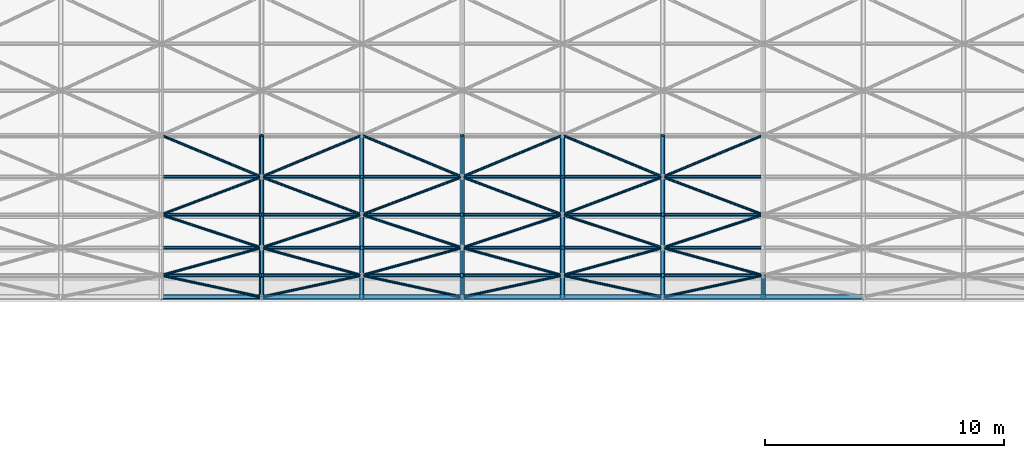
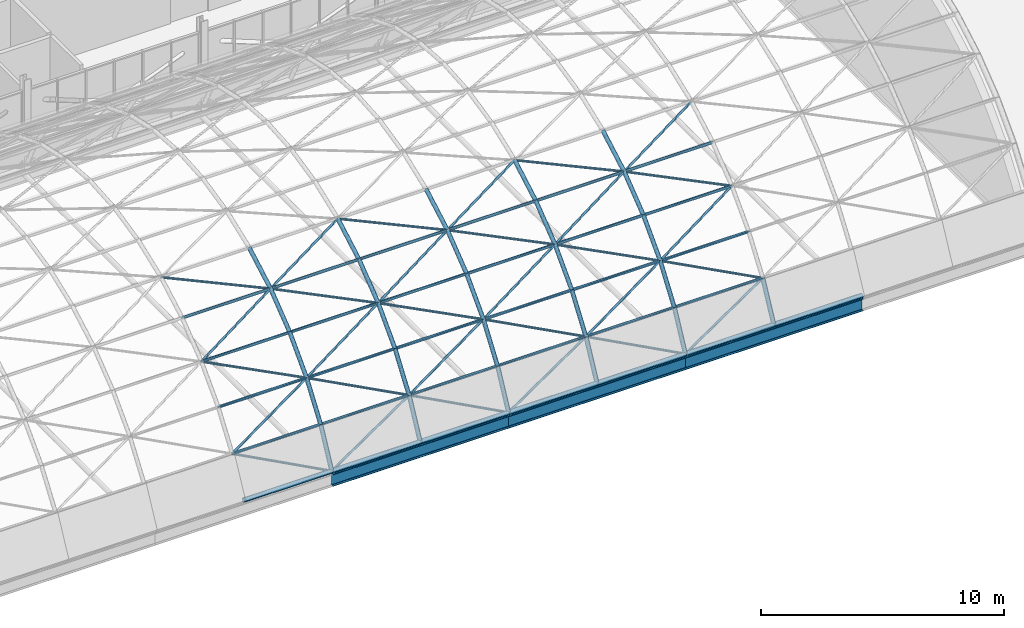
# One storey, part 49 of 121: 87 members, 3 beams.
"""IFC4 building model written with IfcOpenShell, lengths in metres."""

from ifc_helpers import new_model, si_unit, direction, frame, origin, origin_2d, place, context, subcontext, project, spatial, hollow_circle, i_section, extrude, material, material_profile, profile_set, type_object, element, save


model = new_model("IFC4")

# Units and contexts
model_context = context("Model", 3, precision=1e-05, world=origin(), true_north=direction((0.0, 1.0)))
body_context = subcontext(model_context, "Body", "Model", "MODEL_VIEW")
ifc_project = project(units=[si_unit("LENGTHUNIT", "METRE"), si_unit("AREAUNIT", "SQUARE_METRE"), si_unit("VOLUMEUNIT", "CUBIC_METRE"), si_unit("PLANEANGLEUNIT", "RADIAN"), si_unit("MASSUNIT", "GRAM", prefix="KILO")], contexts=[model_context])

# Site, building, storey
site_placement = place(None, origin())
site = spatial("IfcSite", under=ifc_project, at=site_placement, CompositionType="ELEMENT")
building_placement = place(site_placement, origin())
building = spatial("IfcBuilding", under=site, at=building_placement, Name="Ardhachandra Cancer Care Centre", CompositionType="ELEMENT")
storey_placement = place(building_placement, frame((0.0, 0.0, 9.0)))
storey = spatial("IfcBuildingStorey", under=building, at=storey_placement, Name="L02", CompositionType="ELEMENT", Elevation=9.0)

# Beams
ifc_material_1 = material(Name="Steel E350 (IS 2062)", Category="steel")
ifc_material_profile_1 = material_profile(ifc_material_1, i_section(OverallWidth=0.22412109375, OverallDepth=0.610107421875, WebThickness=0.014892578125, FlangeThickness=0.02392578125, FilletRadius=0.02392578125, at=origin_2d()), Name="NPB 600x220x154.46")
ifc_profile_set_1 = profile_set([ifc_material_profile_1], Name="Steel E350 (IS 2062)")
beam_type = type_object("IfcBeamType", Name="Beam NPB 600x220x154.46", PredefinedType="BEAM", material=ifc_profile_set_1)
beam_1_placement = place(storey_placement, frame((78.0, 54.60009765625, -0.41455078125), z_axis=(1.0, 0.0, 0.0), x_axis=(0.0, 1.0, 0.0)))
element("IfcBeam", 1, at=beam_1_placement, inside=storey, type_object=beam_type, Name="Shell edge beam F9-F10", PredefinedType="BEAM", context=body_context, shape_type="SweptSolid", body=[
    extrude(i_section(OverallWidth=0.22412109375, OverallDepth=0.610107421875, WebThickness=0.014892578125, FlangeThickness=0.02392578125, FilletRadius=0.02392578125, at=origin_2d()), origin(), (0.0, 0.0, 1.0), 8.39990234375),
])
beam_2_placement = place(storey_placement, frame((86.39990234375, 54.60009765625, -0.41455078125), z_axis=(1.0, 0.0, 0.0), x_axis=(0.0, 1.0, 0.0)))
element("IfcBeam", 2, at=beam_2_placement, inside=storey, type_object=beam_type, Name="Shell edge beam F10-F11", PredefinedType="BEAM", context=body_context, shape_type="SweptSolid", body=[
    extrude(i_section(OverallWidth=0.22412109375, OverallDepth=0.610107421875, WebThickness=0.014892578125, FlangeThickness=0.02392578125, FilletRadius=0.02392578125, at=origin_2d()), origin(), (0.0, 0.0, 1.0), 8.400146484375),
])
beam_3_placement = place(storey_placement, frame((94.800048828125, 54.60009765625, -0.41455078125), z_axis=(1.0, 0.0, 0.0), x_axis=(0.0, 1.0, 0.0)))
element("IfcBeam", 3, at=beam_3_placement, inside=storey, type_object=beam_type, Name="Shell edge beam F11-F12", PredefinedType="BEAM", context=body_context, shape_type="SweptSolid", body=[
    extrude(i_section(OverallWidth=0.22412109375, OverallDepth=0.610107421875, WebThickness=0.014892578125, FlangeThickness=0.02392578125, FilletRadius=0.02392578125, at=origin_2d()), origin(), (0.0, 0.0, 1.0), 8.39990234375),
])

# Members
ifc_material_2 = material(Name="Steel E350 (IS 2062)", Category="steel")
ifc_material_profile_2 = material_profile(ifc_material_2, hollow_circle(Radius=0.05712890625, WallThickness=0.0048828125, at=origin_2d()), Name="CHS 114.3x5.0")
ifc_profile_set_2 = profile_set([ifc_material_profile_2], Name="Steel E350 (IS 2062)")
member_type_1 = type_object("IfcMemberType", Name="Hall shell Diagonal CHS 114.3x5.0", PredefinedType="BRACE", material=ifc_profile_set_2)
member_1_placement = place(storey_placement, frame((78.0, 54.60009765625, 0.0), z_axis=(-0.902472740293, 0.1944174839, 0.384375851196), x_axis=(-0.210596178979, -0.977573142736, 0.0)))
element("IfcMember", 4, at=member_1_placement, inside=storey, type_object=member_type_1, Name="Hall shell diagonal 08-00", PredefinedType="BRACE", context=body_context, shape_type="SweptSolid", body=[
    extrude(hollow_circle(Radius=0.05712890625, WallThickness=0.0048828125, at=origin_2d()), origin(), (0.0, 0.0, 1.0), 4.65380859375),
])
member_2_placement = place(storey_placement, frame((73.800048828125, 55.5048828125, 1.788818359375), z_axis=(0.902449554885, 0.24865493752, 0.351789031858), x_axis=(-0.265634476177, 0.964073817229, 0.0)))
element("IfcMember", 5, at=member_2_placement, inside=storey, type_object=member_type_1, Name="Hall shell diagonal 07-01", PredefinedType="BRACE", context=body_context, shape_type="SweptSolid", body=[
    extrude(hollow_circle(Radius=0.05712890625, WallThickness=0.0048828125, at=origin_2d()), origin(), (0.0, 0.0, 1.0), 4.654052734375),
])
for number, where, z_axis, x_axis, name in (
    (6, (78.0, 56.662109375, 3.426025390625), (-0.902471180552, 0.297448793451, 0.311560561605), (-0.313029427027, -0.949743427361, 0.0), "Hall shell diagonal 08-02"),
    (7, (73.800048828125, 58.04638671875, 4.8759765625), (0.902456632882, 0.339935998435, 0.264604502485), (-0.35250015529, 0.935811754853, 0.0), "Hall shell diagonal 07-03"),
    (8, (78.0, 59.62841796875, 6.107421875), (-0.902467499795, 0.374983298758, 0.211990418338), (-0.383704226466, -0.923456044754, 0.0), "Hall shell diagonal 08-04"),
    (9, (78.0, 54.60009765625, 0.0), (0.902472740293, 0.1944174839, 0.384375851196), (-0.210596178979, 0.977573142736, 0.0), "Hall shell diagonal 08-00"),
):
    element("IfcMember", number, at=place(storey_placement, frame(where, z_axis=z_axis, x_axis=x_axis)), inside=storey, type_object=member_type_1, Name=name, PredefinedType="BRACE", context=body_context, shape_type="SweptSolid", body=[
        extrude(hollow_circle(Radius=0.05712890625, WallThickness=0.0048828125, at=origin_2d()), origin(), (0.0, 0.0, 1.0), 4.65380859375),
    ])
member_3_placement = place(storey_placement, frame((82.199951171875, 55.5048828125, 1.788818359375), z_axis=(-0.902449554885, 0.24865493752, 0.351789031858), x_axis=(-0.265634476177, -0.964073817229, 0.0)))
element("IfcMember", 10, at=member_3_placement, inside=storey, type_object=member_type_1, Name="Hall shell diagonal 09-01", PredefinedType="BRACE", context=body_context, shape_type="SweptSolid", body=[
    extrude(hollow_circle(Radius=0.05712890625, WallThickness=0.0048828125, at=origin_2d()), origin(), (0.0, 0.0, 1.0), 4.654052734375),
])
for number, where, z_axis, x_axis, name in (
    (11, (78.0, 56.662109375, 3.426025390625), (0.902471180552, 0.297448793451, 0.311560561605), (-0.313029427027, 0.949743427361, 0.0), "Hall shell diagonal 08-02"),
    (12, (82.199951171875, 58.04638671875, 4.8759765625), (-0.902456632882, 0.339935998435, 0.264604502485), (-0.35250015529, -0.935811754853, 0.0), "Hall shell diagonal 09-03"),
    (13, (78.0, 59.62841796875, 6.107421875), (0.902467499795, 0.374983298758, 0.211990418338), (-0.383704226466, 0.923456044754, 0.0), "Hall shell diagonal 08-04"),
    (14, (86.39990234375, 54.60009765625, 0.0), (-0.902472740293, 0.1944174839, 0.384375851196), (-0.210596178979, -0.977573142736, 0.0), "Hall shell diagonal 10-00"),
):
    element("IfcMember", number, at=place(storey_placement, frame(where, z_axis=z_axis, x_axis=x_axis)), inside=storey, type_object=member_type_1, Name=name, PredefinedType="BRACE", context=body_context, shape_type="SweptSolid", body=[
        extrude(hollow_circle(Radius=0.05712890625, WallThickness=0.0048828125, at=origin_2d()), origin(), (0.0, 0.0, 1.0), 4.65380859375),
    ])
member_4_placement = place(storey_placement, frame((82.199951171875, 55.5048828125, 1.788818359375), z_axis=(0.902449554885, 0.24865493752, 0.351789031858), x_axis=(-0.265634476177, 0.964073817229, 0.0)))
element("IfcMember", 15, at=member_4_placement, inside=storey, type_object=member_type_1, Name="Hall shell diagonal 09-01", PredefinedType="BRACE", context=body_context, shape_type="SweptSolid", body=[
    extrude(hollow_circle(Radius=0.05712890625, WallThickness=0.0048828125, at=origin_2d()), origin(), (0.0, 0.0, 1.0), 4.654052734375),
])
for number, where, z_axis, x_axis, name in (
    (16, (86.39990234375, 56.662109375, 3.426025390625), (-0.902471180552, 0.297448793451, 0.311560561605), (-0.313029427027, -0.949743427361, 0.0), "Hall shell diagonal 10-02"),
    (17, (82.199951171875, 58.04638671875, 4.8759765625), (0.902456632882, 0.339935998435, 0.264604502485), (-0.35250015529, 0.935811754853, 0.0), "Hall shell diagonal 09-03"),
    (18, (86.39990234375, 59.62841796875, 6.107421875), (-0.902467499795, 0.374983298758, 0.211990418338), (-0.383704226466, -0.923456044754, 0.0), "Hall shell diagonal 10-04"),
):
    element("IfcMember", number, at=place(storey_placement, frame(where, z_axis=z_axis, x_axis=x_axis)), inside=storey, type_object=member_type_1, Name=name, PredefinedType="BRACE", context=body_context, shape_type="SweptSolid", body=[
        extrude(hollow_circle(Radius=0.05712890625, WallThickness=0.0048828125, at=origin_2d()), origin(), (0.0, 0.0, 1.0), 4.65380859375),
    ])
for number, where, z_axis, x_axis, name in (
    (19, (86.39990234375, 54.60009765625, 0.0), (0.902482473221, 0.194408279805, 0.384357654109), (-0.21058448072, 0.97757566279, 0.0), "Hall shell diagonal 10-00"),
    (20, (90.60009765625, 55.5048828125, 1.788818359375), (-0.902459289758, 0.248643166325, 0.351772378349), (-0.265620125306, -0.964077771257, 0.0), "Hall shell diagonal 11-01"),
    (21, (86.39990234375, 56.662109375, 3.426025390625), (0.902480913611, 0.297434711705, 0.311545811784), (-0.313013014629, 0.949748836626, 0.0), "Hall shell diagonal 10-02"),
    (22, (90.60009765625, 58.04638671875, 4.8759765625), (-0.902466367162, 0.33991990579, 0.26459197605), (-0.352482211607, -0.935818513656, 0.0), "Hall shell diagonal 11-03"),
    (23, (86.39990234375, 59.62841796875, 6.107421875), (0.902477233163, 0.374965546538, 0.211980382423), (-0.3836852067, 0.923463947407, 0.0), "Hall shell diagonal 10-04"),
):
    element("IfcMember", number, at=place(storey_placement, frame(where, z_axis=z_axis, x_axis=x_axis)), inside=storey, type_object=member_type_1, Name=name, PredefinedType="BRACE", context=body_context, shape_type="SweptSolid", body=[
        extrude(hollow_circle(Radius=0.05712890625, WallThickness=0.0048828125, at=origin_2d()), origin(), (0.0, 0.0, 1.0), 4.654052734375),
    ])
member_5_placement = place(storey_placement, frame((94.800048828125, 54.60009765625, 0.0), z_axis=(-0.902472740293, 0.1944174839, 0.384375851196), x_axis=(-0.210596178979, -0.977573142736, 0.0)))
element("IfcMember", 24, at=member_5_placement, inside=storey, type_object=member_type_1, Name="Hall shell diagonal 12-00", PredefinedType="BRACE", context=body_context, shape_type="SweptSolid", body=[
    extrude(hollow_circle(Radius=0.05712890625, WallThickness=0.0048828125, at=origin_2d()), origin(), (0.0, 0.0, 1.0), 4.65380859375),
])
member_6_placement = place(storey_placement, frame((90.60009765625, 55.5048828125, 1.788818359375), z_axis=(0.902449554885, 0.24865493752, 0.351789031858), x_axis=(-0.265634476177, 0.964073817229, 0.0)))
element("IfcMember", 25, at=member_6_placement, inside=storey, type_object=member_type_1, Name="Hall shell diagonal 11-01", PredefinedType="BRACE", context=body_context, shape_type="SweptSolid", body=[
    extrude(hollow_circle(Radius=0.05712890625, WallThickness=0.0048828125, at=origin_2d()), origin(), (0.0, 0.0, 1.0), 4.654052734375),
])
for number, where, z_axis, x_axis, name in (
    (26, (94.800048828125, 56.662109375, 3.426025390625), (-0.902471180552, 0.297448793451, 0.311560561605), (-0.313029427027, -0.949743427361, 0.0), "Hall shell diagonal 12-02"),
    (27, (90.60009765625, 58.04638671875, 4.8759765625), (0.902456632882, 0.339935998435, 0.264604502485), (-0.35250015529, 0.935811754853, 0.0), "Hall shell diagonal 11-03"),
    (28, (94.800048828125, 59.62841796875, 6.107421875), (-0.902467499795, 0.374983298758, 0.211990418338), (-0.383704226466, -0.923456044754, 0.0), "Hall shell diagonal 12-04"),
    (29, (94.800048828125, 54.60009765625, 0.0), (0.902472740293, 0.1944174839, 0.384375851196), (-0.210596178979, 0.977573142736, 0.0), "Hall shell diagonal 12-00"),
):
    element("IfcMember", number, at=place(storey_placement, frame(where, z_axis=z_axis, x_axis=x_axis)), inside=storey, type_object=member_type_1, Name=name, PredefinedType="BRACE", context=body_context, shape_type="SweptSolid", body=[
        extrude(hollow_circle(Radius=0.05712890625, WallThickness=0.0048828125, at=origin_2d()), origin(), (0.0, 0.0, 1.0), 4.65380859375),
    ])
member_7_placement = place(storey_placement, frame((99.0, 55.5048828125, 1.788818359375), z_axis=(-0.902449554885, 0.24865493752, 0.351789031858), x_axis=(-0.265634476177, -0.964073817229, 0.0)))
element("IfcMember", 30, at=member_7_placement, inside=storey, type_object=member_type_1, Name="Hall shell diagonal 13-01", PredefinedType="BRACE", context=body_context, shape_type="SweptSolid", body=[
    extrude(hollow_circle(Radius=0.05712890625, WallThickness=0.0048828125, at=origin_2d()), origin(), (0.0, 0.0, 1.0), 4.654052734375),
])
for number, where, z_axis, x_axis, name in (
    (31, (94.800048828125, 56.662109375, 3.426025390625), (0.902471180552, 0.297448793451, 0.311560561605), (-0.313029427027, 0.949743427361, 0.0), "Hall shell diagonal 12-02"),
    (32, (99.0, 58.04638671875, 4.8759765625), (-0.902456632882, 0.339935998435, 0.264604502485), (-0.35250015529, -0.935811754853, 0.0), "Hall shell diagonal 13-03"),
    (33, (94.800048828125, 59.62841796875, 6.107421875), (0.902467499795, 0.374983298758, 0.211990418338), (-0.383704226466, 0.923456044754, 0.0), "Hall shell diagonal 12-04"),
):
    element("IfcMember", number, at=place(storey_placement, frame(where, z_axis=z_axis, x_axis=x_axis)), inside=storey, type_object=member_type_1, Name=name, PredefinedType="BRACE", context=body_context, shape_type="SweptSolid", body=[
        extrude(hollow_circle(Radius=0.05712890625, WallThickness=0.0048828125, at=origin_2d()), origin(), (0.0, 0.0, 1.0), 4.65380859375),
    ])
ifc_material_3 = material(Name="Steel E350 (IS 2062)", Category="steel")
ifc_material_profile_3 = material_profile(ifc_material_3, hollow_circle(Radius=0.06982421875, WallThickness=0.0048828125, at=origin_2d()), Name="CHS 139.7x5.0")
ifc_profile_set_3 = profile_set([ifc_material_profile_3], Name="Steel E350 (IS 2062)")
member_type_2 = type_object("IfcMemberType", Name="Hall shell Purlin CHS 139.7x5.0", PredefinedType="PURLIN", material=ifc_profile_set_3)
for number, where, z_axis, x_axis, name in (
    (34, (73.800048828125, 55.5048828125, 1.788818359375), (1.0, 0.0, 0.0), (0.0, 1.0, 0.0), "Hall shell purlin 07-01"),
    (35, (78.0, 55.5048828125, 1.788818359375), (1.0, 0.0, 0.0), (0.0, 1.0, 0.0), "Hall shell purlin 08-01"),
    (36, (82.199951171875, 55.5048828125, 1.788818359375), (1.0, 0.0, 0.0), (0.0, 1.0, 0.0), "Hall shell purlin 09-01"),
):
    element("IfcMember", number, at=place(storey_placement, frame(where, z_axis=z_axis, x_axis=x_axis)), inside=storey, type_object=member_type_2, Name=name, PredefinedType="PURLIN", context=body_context, shape_type="SweptSolid", body=[
        extrude(hollow_circle(Radius=0.06982421875, WallThickness=0.0048828125, at=origin_2d()), origin(), (0.0, 0.0, 1.0), 4.199951171875),
    ])
member_8_placement = place(storey_placement, frame((86.39990234375, 55.5048828125, 1.788818359375), z_axis=(1.0, 0.0, 0.0), x_axis=(0.0, 1.0, 0.0)))
element("IfcMember", 37, at=member_8_placement, inside=storey, type_object=member_type_2, Name="Hall shell purlin 10-01", PredefinedType="PURLIN", context=body_context, shape_type="SweptSolid", body=[
    extrude(hollow_circle(Radius=0.06982421875, WallThickness=0.0048828125, at=origin_2d()), origin(), (0.0, 0.0, 1.0), 4.2001953125),
])
for number, where, z_axis, x_axis, name in (
    (38, (90.60009765625, 55.5048828125, 1.788818359375), (1.0, 0.0, 0.0), (0.0, 1.0, 0.0), "Hall shell purlin 11-01"),
    (39, (94.800048828125, 55.5048828125, 1.788818359375), (1.0, 0.0, 0.0), (0.0, 1.0, 0.0), "Hall shell purlin 12-01"),
    (40, (73.800048828125, 56.662109375, 3.426025390625), (1.0, 0.0, 0.0), (0.0, 1.0, 0.0), "Hall shell purlin 07-02"),
    (41, (78.0, 56.662109375, 3.426025390625), (1.0, 0.0, 0.0), (0.0, 1.0, 0.0), "Hall shell purlin 08-02"),
    (42, (82.199951171875, 56.662109375, 3.426025390625), (1.0, 0.0, 0.0), (0.0, 1.0, 0.0), "Hall shell purlin 09-02"),
):
    element("IfcMember", number, at=place(storey_placement, frame(where, z_axis=z_axis, x_axis=x_axis)), inside=storey, type_object=member_type_2, Name=name, PredefinedType="PURLIN", context=body_context, shape_type="SweptSolid", body=[
        extrude(hollow_circle(Radius=0.06982421875, WallThickness=0.0048828125, at=origin_2d()), origin(), (0.0, 0.0, 1.0), 4.199951171875),
    ])
member_9_placement = place(storey_placement, frame((86.39990234375, 56.662109375, 3.426025390625), z_axis=(1.0, 0.0, 0.0), x_axis=(0.0, 1.0, 0.0)))
element("IfcMember", 43, at=member_9_placement, inside=storey, type_object=member_type_2, Name="Hall shell purlin 10-02", PredefinedType="PURLIN", context=body_context, shape_type="SweptSolid", body=[
    extrude(hollow_circle(Radius=0.06982421875, WallThickness=0.0048828125, at=origin_2d()), origin(), (0.0, 0.0, 1.0), 4.2001953125),
])
for number, where, z_axis, x_axis, name in (
    (44, (90.60009765625, 56.662109375, 3.426025390625), (1.0, 0.0, 0.0), (0.0, 1.0, 0.0), "Hall shell purlin 11-02"),
    (45, (94.800048828125, 56.662109375, 3.426025390625), (1.0, 0.0, 0.0), (0.0, 1.0, 0.0), "Hall shell purlin 12-02"),
    (46, (73.800048828125, 58.04638671875, 4.8759765625), (1.0, 0.0, 0.0), (0.0, 1.0, 0.0), "Hall shell purlin 07-03"),
    (47, (78.0, 58.04638671875, 4.8759765625), (1.0, 0.0, 0.0), (0.0, 1.0, 0.0), "Hall shell purlin 08-03"),
    (48, (82.199951171875, 58.04638671875, 4.8759765625), (1.0, 0.0, 0.0), (0.0, 1.0, 0.0), "Hall shell purlin 09-03"),
):
    element("IfcMember", number, at=place(storey_placement, frame(where, z_axis=z_axis, x_axis=x_axis)), inside=storey, type_object=member_type_2, Name=name, PredefinedType="PURLIN", context=body_context, shape_type="SweptSolid", body=[
        extrude(hollow_circle(Radius=0.06982421875, WallThickness=0.0048828125, at=origin_2d()), origin(), (0.0, 0.0, 1.0), 4.199951171875),
    ])
member_10_placement = place(storey_placement, frame((86.39990234375, 58.04638671875, 4.8759765625), z_axis=(1.0, 0.0, 0.0), x_axis=(0.0, 1.0, 0.0)))
element("IfcMember", 49, at=member_10_placement, inside=storey, type_object=member_type_2, Name="Hall shell purlin 10-03", PredefinedType="PURLIN", context=body_context, shape_type="SweptSolid", body=[
    extrude(hollow_circle(Radius=0.06982421875, WallThickness=0.0048828125, at=origin_2d()), origin(), (0.0, 0.0, 1.0), 4.2001953125),
])
for number, where, z_axis, x_axis, name in (
    (50, (90.60009765625, 58.04638671875, 4.8759765625), (1.0, 0.0, 0.0), (0.0, 1.0, 0.0), "Hall shell purlin 11-03"),
    (51, (94.800048828125, 58.04638671875, 4.8759765625), (1.0, 0.0, 0.0), (0.0, 1.0, 0.0), "Hall shell purlin 12-03"),
    (52, (73.800048828125, 59.62841796875, 6.107421875), (1.0, 0.0, 0.0), (0.0, 1.0, 0.0), "Hall shell purlin 07-04"),
    (53, (78.0, 59.62841796875, 6.107421875), (1.0, 0.0, 0.0), (0.0, 1.0, 0.0), "Hall shell purlin 08-04"),
    (54, (82.199951171875, 59.62841796875, 6.107421875), (1.0, 0.0, 0.0), (0.0, 1.0, 0.0), "Hall shell purlin 09-04"),
):
    element("IfcMember", number, at=place(storey_placement, frame(where, z_axis=z_axis, x_axis=x_axis)), inside=storey, type_object=member_type_2, Name=name, PredefinedType="PURLIN", context=body_context, shape_type="SweptSolid", body=[
        extrude(hollow_circle(Radius=0.06982421875, WallThickness=0.0048828125, at=origin_2d()), origin(), (0.0, 0.0, 1.0), 4.199951171875),
    ])
member_11_placement = place(storey_placement, frame((86.39990234375, 59.62841796875, 6.107421875), z_axis=(1.0, 0.0, 0.0), x_axis=(0.0, 1.0, 0.0)))
element("IfcMember", 55, at=member_11_placement, inside=storey, type_object=member_type_2, Name="Hall shell purlin 10-04", PredefinedType="PURLIN", context=body_context, shape_type="SweptSolid", body=[
    extrude(hollow_circle(Radius=0.06982421875, WallThickness=0.0048828125, at=origin_2d()), origin(), (0.0, 0.0, 1.0), 4.2001953125),
])
for number, where, z_axis, x_axis, name in (
    (56, (90.60009765625, 59.62841796875, 6.107421875), (1.0, 0.0, 0.0), (0.0, 1.0, 0.0), "Hall shell purlin 11-04"),
    (57, (94.800048828125, 59.62841796875, 6.107421875), (1.0, 0.0, 0.0), (0.0, 1.0, 0.0), "Hall shell purlin 12-04"),
):
    element("IfcMember", number, at=place(storey_placement, frame(where, z_axis=z_axis, x_axis=x_axis)), inside=storey, type_object=member_type_2, Name=name, PredefinedType="PURLIN", context=body_context, shape_type="SweptSolid", body=[
        extrude(hollow_circle(Radius=0.06982421875, WallThickness=0.0048828125, at=origin_2d()), origin(), (0.0, 0.0, 1.0), 4.199951171875),
    ])
ifc_material_4 = material(Name="Steel E350 (IS 2062)", Category="steel")
ifc_material_profile_4 = material_profile(ifc_material_4, hollow_circle(Radius=0.109619140625, WallThickness=0.008056640625, at=origin_2d()), Name="CHS 219.1x8.0")
ifc_profile_set_4 = profile_set([ifc_material_profile_4], Name="Steel E350 (IS 2062)")
member_type_3 = type_object("IfcMemberType", Name="Hall shell Purlin CHS 219.1x8.0", PredefinedType="PURLIN", material=ifc_profile_set_4)
for number, where, z_axis, x_axis, name in (
    (58, (73.800048828125, 54.60009765625, 0.0), (1.0, 0.0, 0.0), (0.0, 1.0, 0.0), "Hall shell purlin 07-00"),
    (59, (78.0, 54.60009765625, 0.0), (1.0, 0.0, 0.0), (0.0, 1.0, 0.0), "Hall shell purlin 08-00"),
    (60, (82.199951171875, 54.60009765625, 0.0), (1.0, 0.0, 0.0), (0.0, 1.0, 0.0), "Hall shell purlin 09-00"),
):
    element("IfcMember", number, at=place(storey_placement, frame(where, z_axis=z_axis, x_axis=x_axis)), inside=storey, type_object=member_type_3, Name=name, PredefinedType="PURLIN", context=body_context, shape_type="SweptSolid", body=[
        extrude(hollow_circle(Radius=0.109619140625, WallThickness=0.008056640625, at=origin_2d()), origin(), (0.0, 0.0, 1.0), 4.199951171875),
    ])
member_12_placement = place(storey_placement, frame((86.39990234375, 54.60009765625, 0.0), z_axis=(1.0, 0.0, 0.0), x_axis=(0.0, 1.0, 0.0)))
element("IfcMember", 61, at=member_12_placement, inside=storey, type_object=member_type_3, Name="Hall shell purlin 10-00", PredefinedType="PURLIN", context=body_context, shape_type="SweptSolid", body=[
    extrude(hollow_circle(Radius=0.109619140625, WallThickness=0.008056640625, at=origin_2d()), origin(), (0.0, 0.0, 1.0), 4.2001953125),
])
for number, where, z_axis, x_axis, name in (
    (62, (90.60009765625, 54.60009765625, 0.0), (1.0, 0.0, 0.0), (0.0, 1.0, 0.0), "Hall shell purlin 11-00"),
    (63, (94.800048828125, 54.60009765625, 0.0), (1.0, 0.0, 0.0), (0.0, 1.0, 0.0), "Hall shell purlin 12-00"),
    (64, (99.0, 54.60009765625, 0.0), (1.0, 0.0, 0.0), (0.0, 1.0, 0.0), "Hall shell purlin 13-00"),
):
    element("IfcMember", number, at=place(storey_placement, frame(where, z_axis=z_axis, x_axis=x_axis)), inside=storey, type_object=member_type_3, Name=name, PredefinedType="PURLIN", context=body_context, shape_type="SweptSolid", body=[
        extrude(hollow_circle(Radius=0.109619140625, WallThickness=0.008056640625, at=origin_2d()), origin(), (0.0, 0.0, 1.0), 4.199951171875),
    ])
ifc_material_5 = material(Name="Steel E350 (IS 2062)", Category="steel")
ifc_material_profile_5 = material_profile(ifc_material_5, hollow_circle(Radius=0.096923828125, WallThickness=0.008056640625, at=origin_2d()), Name="CHS 193.7x8.0")
ifc_profile_set_5 = profile_set([ifc_material_profile_5], Name="Steel E350 (IS 2062)")
member_type_4 = type_object("IfcMemberType", Name="Hall shell Rib CHS 193.7x8.0", PredefinedType="RAFTER", material=ifc_profile_set_5)
member_13_placement = place(storey_placement, frame((78.0, 54.60009765625, 0.0), z_axis=(0.0, 0.451349625156, 0.89234719469), x_axis=(-1.0, 0.0, 0.0)))
element("IfcMember", 65, at=member_13_placement, inside=storey, type_object=member_type_4, Name="Hall shell rib 08-00", PredefinedType="RAFTER", context=body_context, shape_type="SweptSolid", body=[
    extrude(hollow_circle(Radius=0.096923828125, WallThickness=0.008056640625, at=origin_2d()), origin(), (0.0, 0.0, 1.0), 2.004638671875),
])
member_14_placement = place(storey_placement, frame((78.0, 55.5048828125, 1.788818359375), z_axis=(0.0, 0.577199418325, 0.816603227697), x_axis=(-1.0, 0.0, 0.0)))
element("IfcMember", 66, at=member_14_placement, inside=storey, type_object=member_type_4, Name="Hall shell rib 08-01", PredefinedType="RAFTER", context=body_context, shape_type="SweptSolid", body=[
    extrude(hollow_circle(Radius=0.096923828125, WallThickness=0.008056640625, at=origin_2d()), origin(), (0.0, 0.0, 1.0), 2.0048828125),
])
member_15_placement = place(storey_placement, frame((78.0, 56.662109375, 3.426025390625), z_axis=(0.0, 0.690536572288, 0.723297478451), x_axis=(-1.0, 0.0, 0.0)))
element("IfcMember", 67, at=member_15_placement, inside=storey, type_object=member_type_4, Name="Hall shell rib 08-02", PredefinedType="RAFTER", context=body_context, shape_type="SweptSolid", body=[
    extrude(hollow_circle(Radius=0.096923828125, WallThickness=0.008056640625, at=origin_2d()), origin(), (0.0, 0.0, 1.0), 2.004638671875),
])
member_16_placement = place(storey_placement, frame((78.0, 58.04638671875, 4.8759765625), z_axis=(0.0, 0.789116098656, 0.614244074324), x_axis=(-1.0, 0.0, 0.0)))
element("IfcMember", 68, at=member_16_placement, inside=storey, type_object=member_type_4, Name="Hall shell rib 08-03", PredefinedType="RAFTER", context=body_context, shape_type="SweptSolid", body=[
    extrude(hollow_circle(Radius=0.096923828125, WallThickness=0.008056640625, at=origin_2d()), origin(), (0.0, 0.0, 1.0), 2.0048828125),
])
for number, where, z_axis, x_axis, name in (
    (69, (78.0, 59.62841796875, 6.107421875), (0.0, 0.870519739515, 0.492133501312), (-1.0, 0.0, 0.0), "Hall shell rib 08-04"),
    (70, (82.199951171875, 54.60009765625, 0.0), (0.0, 0.451349625156, 0.89234719469), (-1.0, 0.0, 0.0), "Hall shell rib 09-00"),
):
    element("IfcMember", number, at=place(storey_placement, frame(where, z_axis=z_axis, x_axis=x_axis)), inside=storey, type_object=member_type_4, Name=name, PredefinedType="RAFTER", context=body_context, shape_type="SweptSolid", body=[
        extrude(hollow_circle(Radius=0.096923828125, WallThickness=0.008056640625, at=origin_2d()), origin(), (0.0, 0.0, 1.0), 2.004638671875),
    ])
member_17_placement = place(storey_placement, frame((82.199951171875, 55.5048828125, 1.788818359375), z_axis=(0.0, 0.577199418325, 0.816603227697), x_axis=(-1.0, 0.0, 0.0)))
element("IfcMember", 71, at=member_17_placement, inside=storey, type_object=member_type_4, Name="Hall shell rib 09-01", PredefinedType="RAFTER", context=body_context, shape_type="SweptSolid", body=[
    extrude(hollow_circle(Radius=0.096923828125, WallThickness=0.008056640625, at=origin_2d()), origin(), (0.0, 0.0, 1.0), 2.0048828125),
])
member_18_placement = place(storey_placement, frame((82.199951171875, 56.662109375, 3.426025390625), z_axis=(0.0, 0.690536572288, 0.723297478451), x_axis=(-1.0, 0.0, 0.0)))
element("IfcMember", 72, at=member_18_placement, inside=storey, type_object=member_type_4, Name="Hall shell rib 09-02", PredefinedType="RAFTER", context=body_context, shape_type="SweptSolid", body=[
    extrude(hollow_circle(Radius=0.096923828125, WallThickness=0.008056640625, at=origin_2d()), origin(), (0.0, 0.0, 1.0), 2.004638671875),
])
member_19_placement = place(storey_placement, frame((82.199951171875, 58.04638671875, 4.8759765625), z_axis=(0.0, 0.789116098656, 0.614244074324), x_axis=(-1.0, 0.0, 0.0)))
element("IfcMember", 73, at=member_19_placement, inside=storey, type_object=member_type_4, Name="Hall shell rib 09-03", PredefinedType="RAFTER", context=body_context, shape_type="SweptSolid", body=[
    extrude(hollow_circle(Radius=0.096923828125, WallThickness=0.008056640625, at=origin_2d()), origin(), (0.0, 0.0, 1.0), 2.0048828125),
])
for number, where, z_axis, x_axis, name in (
    (74, (82.199951171875, 59.62841796875, 6.107421875), (0.0, 0.870519739515, 0.492133501312), (-1.0, 0.0, 0.0), "Hall shell rib 09-04"),
    (75, (86.39990234375, 54.60009765625, 0.0), (0.0, 0.451349625156, 0.89234719469), (-1.0, 0.0, 0.0), "Hall shell rib 10-00"),
):
    element("IfcMember", number, at=place(storey_placement, frame(where, z_axis=z_axis, x_axis=x_axis)), inside=storey, type_object=member_type_4, Name=name, PredefinedType="RAFTER", context=body_context, shape_type="SweptSolid", body=[
        extrude(hollow_circle(Radius=0.096923828125, WallThickness=0.008056640625, at=origin_2d()), origin(), (0.0, 0.0, 1.0), 2.004638671875),
    ])
member_20_placement = place(storey_placement, frame((86.39990234375, 55.5048828125, 1.788818359375), z_axis=(0.0, 0.577199418325, 0.816603227697), x_axis=(-1.0, 0.0, 0.0)))
element("IfcMember", 76, at=member_20_placement, inside=storey, type_object=member_type_4, Name="Hall shell rib 10-01", PredefinedType="RAFTER", context=body_context, shape_type="SweptSolid", body=[
    extrude(hollow_circle(Radius=0.096923828125, WallThickness=0.008056640625, at=origin_2d()), origin(), (0.0, 0.0, 1.0), 2.0048828125),
])
member_21_placement = place(storey_placement, frame((86.39990234375, 56.662109375, 3.426025390625), z_axis=(0.0, 0.690536572288, 0.723297478451), x_axis=(-1.0, 0.0, 0.0)))
element("IfcMember", 77, at=member_21_placement, inside=storey, type_object=member_type_4, Name="Hall shell rib 10-02", PredefinedType="RAFTER", context=body_context, shape_type="SweptSolid", body=[
    extrude(hollow_circle(Radius=0.096923828125, WallThickness=0.008056640625, at=origin_2d()), origin(), (0.0, 0.0, 1.0), 2.004638671875),
])
member_22_placement = place(storey_placement, frame((86.39990234375, 58.04638671875, 4.8759765625), z_axis=(0.0, 0.789116098656, 0.614244074324), x_axis=(-1.0, 0.0, 0.0)))
element("IfcMember", 78, at=member_22_placement, inside=storey, type_object=member_type_4, Name="Hall shell rib 10-03", PredefinedType="RAFTER", context=body_context, shape_type="SweptSolid", body=[
    extrude(hollow_circle(Radius=0.096923828125, WallThickness=0.008056640625, at=origin_2d()), origin(), (0.0, 0.0, 1.0), 2.0048828125),
])
for number, where, z_axis, x_axis, name in (
    (79, (86.39990234375, 59.62841796875, 6.107421875), (0.0, 0.870519739515, 0.492133501312), (-1.0, 0.0, 0.0), "Hall shell rib 10-04"),
    (80, (90.60009765625, 54.60009765625, 0.0), (0.0, 0.451349625156, 0.89234719469), (-1.0, 0.0, 0.0), "Hall shell rib 11-00"),
):
    element("IfcMember", number, at=place(storey_placement, frame(where, z_axis=z_axis, x_axis=x_axis)), inside=storey, type_object=member_type_4, Name=name, PredefinedType="RAFTER", context=body_context, shape_type="SweptSolid", body=[
        extrude(hollow_circle(Radius=0.096923828125, WallThickness=0.008056640625, at=origin_2d()), origin(), (0.0, 0.0, 1.0), 2.004638671875),
    ])
member_23_placement = place(storey_placement, frame((90.60009765625, 55.5048828125, 1.788818359375), z_axis=(0.0, 0.577199418325, 0.816603227697), x_axis=(-1.0, 0.0, 0.0)))
element("IfcMember", 81, at=member_23_placement, inside=storey, type_object=member_type_4, Name="Hall shell rib 11-01", PredefinedType="RAFTER", context=body_context, shape_type="SweptSolid", body=[
    extrude(hollow_circle(Radius=0.096923828125, WallThickness=0.008056640625, at=origin_2d()), origin(), (0.0, 0.0, 1.0), 2.0048828125),
])
member_24_placement = place(storey_placement, frame((90.60009765625, 56.662109375, 3.426025390625), z_axis=(0.0, 0.690536572288, 0.723297478451), x_axis=(-1.0, 0.0, 0.0)))
element("IfcMember", 82, at=member_24_placement, inside=storey, type_object=member_type_4, Name="Hall shell rib 11-02", PredefinedType="RAFTER", context=body_context, shape_type="SweptSolid", body=[
    extrude(hollow_circle(Radius=0.096923828125, WallThickness=0.008056640625, at=origin_2d()), origin(), (0.0, 0.0, 1.0), 2.004638671875),
])
member_25_placement = place(storey_placement, frame((90.60009765625, 58.04638671875, 4.8759765625), z_axis=(0.0, 0.789116098656, 0.614244074324), x_axis=(-1.0, 0.0, 0.0)))
element("IfcMember", 83, at=member_25_placement, inside=storey, type_object=member_type_4, Name="Hall shell rib 11-03", PredefinedType="RAFTER", context=body_context, shape_type="SweptSolid", body=[
    extrude(hollow_circle(Radius=0.096923828125, WallThickness=0.008056640625, at=origin_2d()), origin(), (0.0, 0.0, 1.0), 2.0048828125),
])
for number, where, z_axis, x_axis, name in (
    (84, (90.60009765625, 59.62841796875, 6.107421875), (0.0, 0.870519739515, 0.492133501312), (-1.0, 0.0, 0.0), "Hall shell rib 11-04"),
    (85, (94.800048828125, 54.60009765625, 0.0), (0.0, 0.451349625156, 0.89234719469), (-1.0, 0.0, 0.0), "Hall shell rib 12-00"),
):
    element("IfcMember", number, at=place(storey_placement, frame(where, z_axis=z_axis, x_axis=x_axis)), inside=storey, type_object=member_type_4, Name=name, PredefinedType="RAFTER", context=body_context, shape_type="SweptSolid", body=[
        extrude(hollow_circle(Radius=0.096923828125, WallThickness=0.008056640625, at=origin_2d()), origin(), (0.0, 0.0, 1.0), 2.004638671875),
    ])
member_26_placement = place(storey_placement, frame((94.800048828125, 55.5048828125, 1.788818359375), z_axis=(0.0, 0.577199418325, 0.816603227697), x_axis=(-1.0, 0.0, 0.0)))
element("IfcMember", 86, at=member_26_placement, inside=storey, type_object=member_type_4, Name="Hall shell rib 12-01", PredefinedType="RAFTER", context=body_context, shape_type="SweptSolid", body=[
    extrude(hollow_circle(Radius=0.096923828125, WallThickness=0.008056640625, at=origin_2d()), origin(), (0.0, 0.0, 1.0), 2.0048828125),
])
member_27_placement = place(storey_placement, frame((94.800048828125, 56.662109375, 3.426025390625), z_axis=(0.0, 0.690536572288, 0.723297478451), x_axis=(-1.0, 0.0, 0.0)))
element("IfcMember", 87, at=member_27_placement, inside=storey, type_object=member_type_4, Name="Hall shell rib 12-02", PredefinedType="RAFTER", context=body_context, shape_type="SweptSolid", body=[
    extrude(hollow_circle(Radius=0.096923828125, WallThickness=0.008056640625, at=origin_2d()), origin(), (0.0, 0.0, 1.0), 2.004638671875),
])
member_28_placement = place(storey_placement, frame((94.800048828125, 58.04638671875, 4.8759765625), z_axis=(0.0, 0.789116098656, 0.614244074324), x_axis=(-1.0, 0.0, 0.0)))
element("IfcMember", 88, at=member_28_placement, inside=storey, type_object=member_type_4, Name="Hall shell rib 12-03", PredefinedType="RAFTER", context=body_context, shape_type="SweptSolid", body=[
    extrude(hollow_circle(Radius=0.096923828125, WallThickness=0.008056640625, at=origin_2d()), origin(), (0.0, 0.0, 1.0), 2.0048828125),
])
for number, where, z_axis, x_axis, name in (
    (89, (94.800048828125, 59.62841796875, 6.107421875), (0.0, 0.870519739515, 0.492133501312), (-1.0, 0.0, 0.0), "Hall shell rib 12-04"),
    (90, (99.0, 54.60009765625, 0.0), (0.0, 0.451349625156, 0.89234719469), (-1.0, 0.0, 0.0), "Hall shell rib 13-00"),
):
    element("IfcMember", number, at=place(storey_placement, frame(where, z_axis=z_axis, x_axis=x_axis)), inside=storey, type_object=member_type_4, Name=name, PredefinedType="RAFTER", context=body_context, shape_type="SweptSolid", body=[
        extrude(hollow_circle(Radius=0.096923828125, WallThickness=0.008056640625, at=origin_2d()), origin(), (0.0, 0.0, 1.0), 2.004638671875),
    ])

save(model, "model.ifc")
